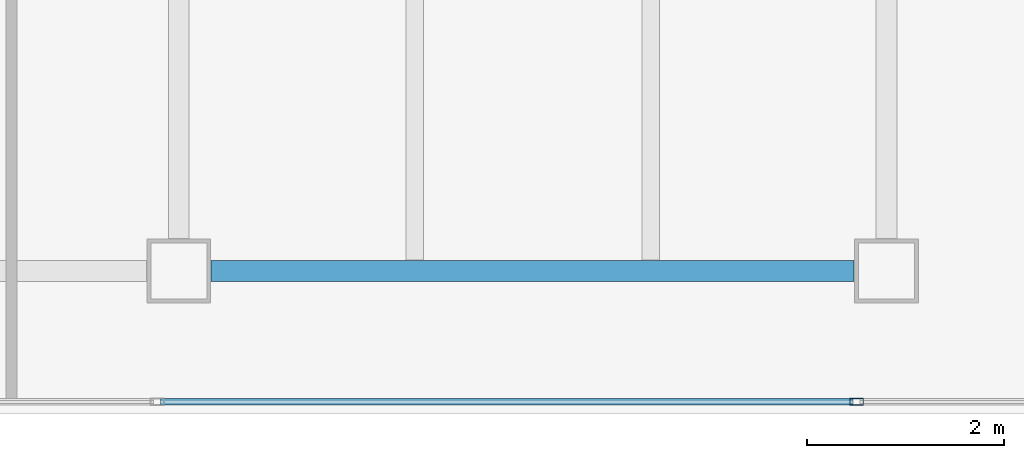
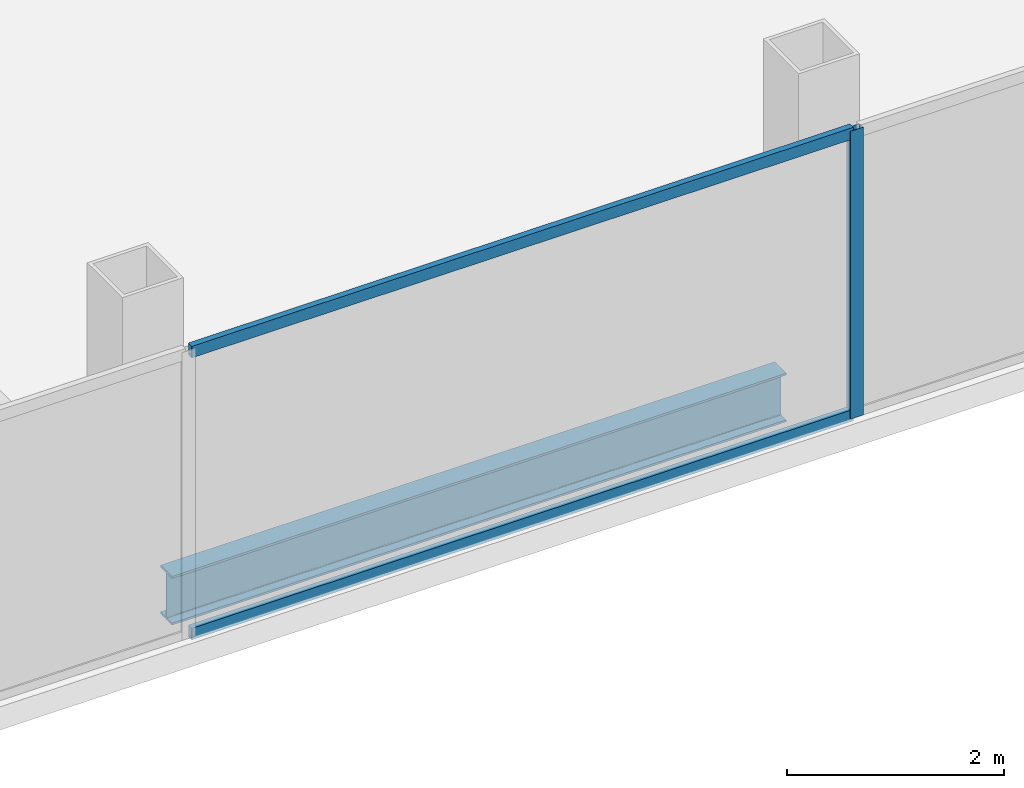
# One storey, part 12 of 23: 3 members, 1 beam, 1 element without a shape of its own.
"""IFC4 building model written with IfcOpenShell, lengths in metres."""

from ifc_helpers import new_model, si_unit, direction, frame, origin, origin_2d, place, context, subcontext, project, spatial, hollow_rectangle, i_section, extrude, material, material_profile, profile_set, type_object, element, aggregate, save


model = new_model("IFC4")

# Units and contexts
model_context = context("Model", 3, precision=1e-05, world=origin(), true_north=direction((0.0, 1.0)))
body_context = subcontext(model_context, "Body", "Model", "MODEL_VIEW")
ifc_project = project(units=[si_unit("LENGTHUNIT", "METRE"), si_unit("AREAUNIT", "SQUARE_METRE"), si_unit("VOLUMEUNIT", "CUBIC_METRE"), si_unit("PLANEANGLEUNIT", "RADIAN"), si_unit("MASSUNIT", "GRAM", prefix="KILO")], contexts=[model_context])

# Site, building, storey
site_placement = place(None, origin())
site = spatial("IfcSite", under=ifc_project, at=site_placement, CompositionType="ELEMENT")
building_placement = place(site_placement, origin())
building = spatial("IfcBuilding", under=site, at=building_placement, Name="Cobrela Telecom Tower", CompositionType="ELEMENT")
storey_placement = place(building_placement, frame((0.0, 0.0, 283.14990234375)))
storey = spatial("IfcBuildingStorey", under=building, at=storey_placement, Name="L74", CompositionType="ELEMENT", Elevation=283.14990234375)

# Beam
ifc_material_1 = material(Name="Steel ASTM A992 Grade 50", Category="steel")
ifc_material_profile_1 = material_profile(ifc_material_1, i_section(OverallWidth=0.212890625, OverallDepth=0.549072265625, WebThickness=0.0146484375, FlangeThickness=0.023681640625, FilletRadius=0.013916015625, at=origin_2d()), Name="W21X93")
ifc_profile_set_1 = profile_set([ifc_material_profile_1], Name="Steel ASTM A992 Grade 50")
beam_type = type_object("IfcBeamType", Name="BM-GIRD-08", PredefinedType="USERDEFINED", material=ifc_profile_set_1)
beam_placement = place(storey_placement, frame((29.1298828125, 7.85009765625, -0.534423828125), z_axis=(1.0, 0.0, 0.0), x_axis=(0.0, 1.0, 0.0)))
element("IfcBeam", 1, at=beam_placement, inside=storey, type_object=beam_type, Name="L74 Primary Girder X04", ObjectType="GIRDER", PredefinedType="USERDEFINED", context=body_context, shape_type="SweptSolid", body=[
    extrude(i_section(OverallWidth=0.212890625, OverallDepth=0.549072265625, WebThickness=0.0146484375, FlangeThickness=0.023681640625, FilletRadius=0.013916015625, at=origin_2d()), origin(), (0.0, 0.0, 1.0), 6.5400390625),
])

# Curtain wall, members
ifc_material_2 = material(Name="Anodized Bronze Aluminium 6063-T6", Category="aluminium")
curtain_wall_type = type_object("IfcCurtainWallType", Name="CW-SYS-OFF-HI", PredefinedType="USERDEFINED", material=ifc_material_2)
curtain_wall_placement = place(storey_placement, origin())
curtain_wall = element("IfcCurtainWall", 2, at=curtain_wall_placement, inside=storey, type_object=curtain_wall_type, Name="L74 Unitised Bronze Curtain Wall 15", ObjectType="UNITISED CURTAIN WALL", PredefinedType="USERDEFINED")
ifc_material_profile_2 = material_profile(ifc_material_2, hollow_rectangle(XDim=0.070068359375, YDim=0.139892578125, WallThickness=0.00390625, at=origin_2d()), Name="ALU 70x140x4")
ifc_profile_set_2 = profile_set([ifc_material_profile_2], Name="Anodized Bronze Aluminium 6063-T6")
member_type_1 = type_object("IfcMemberType", Name="CW-SYS-OFF-HI-MUL", PredefinedType="MULLION", material=ifc_profile_set_2)
member_1_placement = place(storey_placement, frame((35.695068359375, 6.52001953125, 0.0), z_axis=(0.0, 0.0, 1.0), x_axis=(0.0, -1.0, 0.0)))
member_1 = element("IfcMember", 3, at=member_1_placement, type_object=member_type_1, Name="CW-OFF-HI mullion 2", PredefinedType="MULLION", context=body_context, shape_type="SweptSolid", body=[
    extrude(hollow_rectangle(XDim=0.070068359375, YDim=0.139892578125, WallThickness=0.00390625, at=origin_2d()), origin(), (0.0, 0.0, 1.0), 3.239990234375),
])
ifc_material_profile_3 = material_profile(ifc_material_2, hollow_rectangle(XDim=0.06494140625, YDim=0.1298828125, WallThickness=0.00390625, at=origin_2d()), Name="ALU 65x130x4")
ifc_profile_set_3 = profile_set([ifc_material_profile_3], Name="Anodized Bronze Aluminium 6063-T6")
member_type_2 = type_object("IfcMemberType", Name="CW-SYS-OFF-HI-TRN", PredefinedType="USERDEFINED", material=ifc_profile_set_3)
member_2_placement = place(storey_placement, frame((35.659912109375, 6.52001953125, 0.03271484375), z_axis=(-1.0, 0.0, 0.0), x_axis=(0.0, -1.0, 0.0)))
member_2 = element("IfcMember", 4, at=member_2_placement, type_object=member_type_2, Name="CW-OFF-HI transom 2.1", ObjectType="TRANSOM", PredefinedType="USERDEFINED", context=body_context, shape_type="SweptSolid", body=[
    extrude(hollow_rectangle(XDim=0.06494140625, YDim=0.1298828125, WallThickness=0.00390625, at=origin_2d()), origin(), (0.0, 0.0, 1.0), 7.044921875),
])
member_3_placement = place(storey_placement, frame((35.659912109375, 6.52001953125, 3.20751953125), z_axis=(-1.0, 0.0, 0.0), x_axis=(0.0, -1.0, 0.0)))
member_3 = element("IfcMember", 5, at=member_3_placement, type_object=member_type_2, Name="CW-OFF-HI transom 2.2", ObjectType="TRANSOM", PredefinedType="USERDEFINED", context=body_context, shape_type="SweptSolid", body=[
    extrude(hollow_rectangle(XDim=0.06494140625, YDim=0.1298828125, WallThickness=0.00390625, at=origin_2d()), origin(), (0.0, 0.0, 1.0), 7.044921875),
])
aggregate(curtain_wall, [member_1, member_2, member_3])

save(model, "model.ifc")
